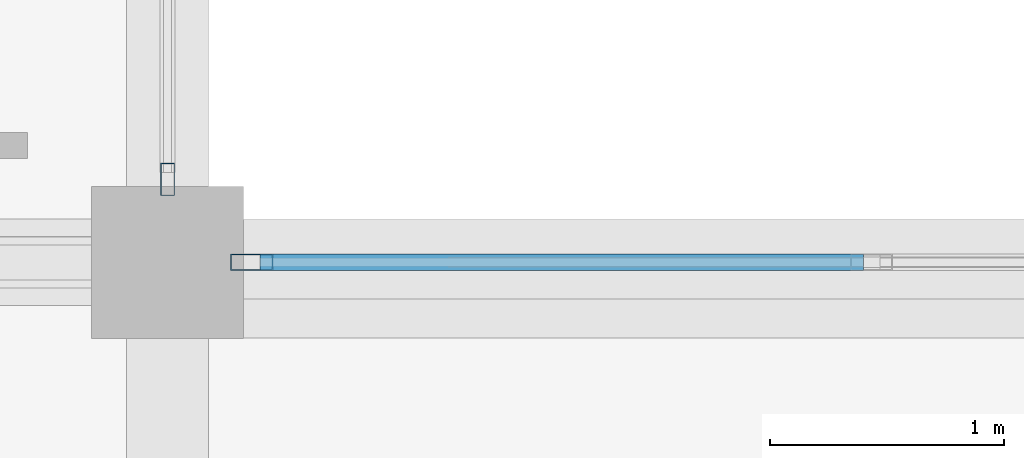
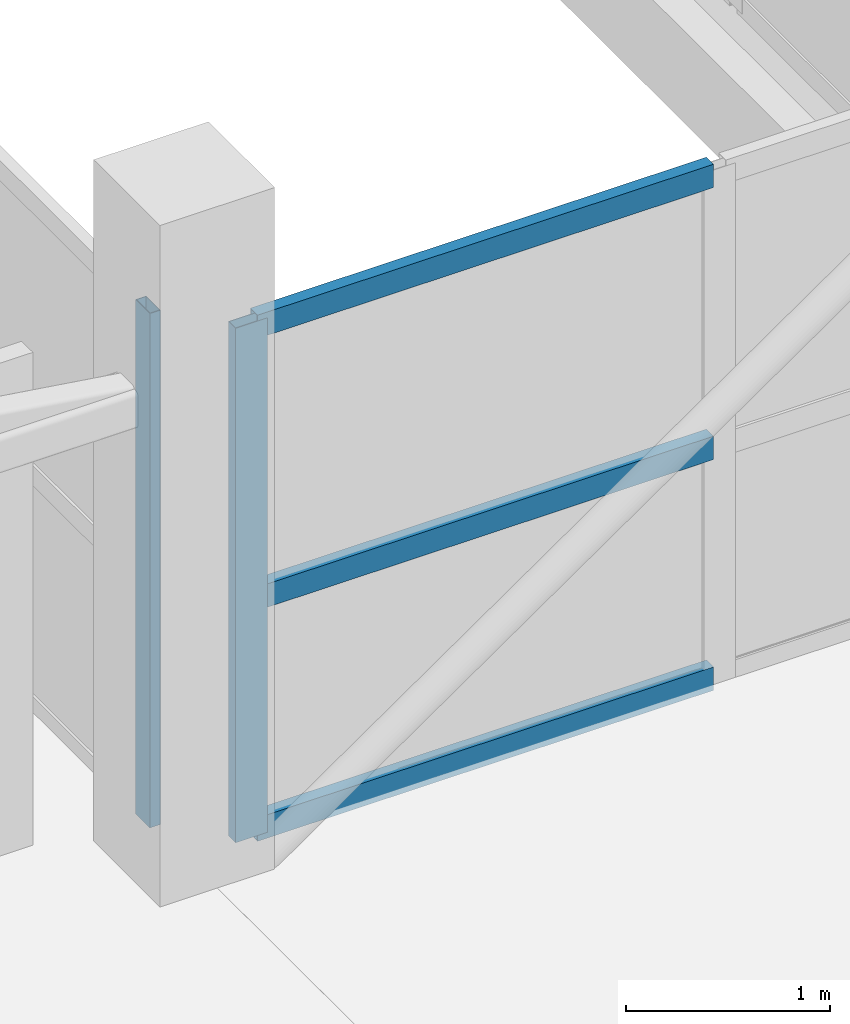
# One storey, part 12 of 53: 5 members, 2 elements without a shape of their own.
"""IFC4 building model written with IfcOpenShell, lengths in metres."""

from ifc_helpers import new_model, si_unit, direction, frame, origin, origin_2d, place, context, subcontext, project, spatial, hollow_rectangle, extrude, material, layer, layer_set, material_profile, profile_set, type_object, element, aggregate, save


model = new_model("IFC4")

# Units and contexts
model_context = context("Model", 3, precision=1e-05, world=origin(), true_north=direction((0.0, 1.0)))
body_context = subcontext(model_context, "Body", "Model", "MODEL_VIEW")
ifc_project = project(units=[si_unit("LENGTHUNIT", "METRE"), si_unit("AREAUNIT", "SQUARE_METRE"), si_unit("VOLUMEUNIT", "CUBIC_METRE"), si_unit("PLANEANGLEUNIT", "RADIAN"), si_unit("MASSUNIT", "GRAM", prefix="KILO")], contexts=[model_context])

# Site, building, storey
site_placement = place(None, origin())
site = spatial("IfcSite", under=ifc_project, at=site_placement, CompositionType="ELEMENT")
building_placement = place(site_placement, origin())
building = spatial("IfcBuilding", under=site, at=building_placement, Name="Sillaruma Civic Art Gallery", CompositionType="ELEMENT")
storey_placement = place(building_placement, frame((0.0, 0.0, 70.3798828125)))
storey = spatial("IfcBuildingStorey", under=building, at=storey_placement, Name="L14", CompositionType="ELEMENT", Elevation=70.3798828125)

# Curtain wall, member
ifc_material = material(Name="Thermally Broken Extruded Aluminium 6063-T6", Category="aluminium")
ifc_layer_1 = layer(ifc_material, 0.139892578125, Name="Thermally Broken Extruded Aluminium 6063-T6")
ifc_layer_set_1 = layer_set([ifc_layer_1], Name="Thermally Broken Extruded Aluminium 6063-T6")
curtain_wall_type_1 = type_object("IfcCurtainWallType", Name="CW-UNI-105", PredefinedType="NOTDEFINED", material=ifc_layer_set_1)
curtain_wall_1_placement = place(storey_placement, origin())
curtain_wall_1 = element("IfcCurtainWall", 1, at=curtain_wall_1_placement, inside=storey, type_object=curtain_wall_type_1, Name="Unitised Curtain Wall CW-105 (CW-L14-WBE-4)", PredefinedType="NOTDEFINED")
ifc_material_profile_1 = material_profile(ifc_material, hollow_rectangle(XDim=0.06005859375, YDim=0.139892578125, WallThickness=0.00341796875, at=origin_2d()), Name="CWM60x140")
ifc_profile_set_1 = profile_set([ifc_material_profile_1], Name="Thermally Broken Extruded Aluminium 6063-T6")
member_type_1 = type_object("IfcMemberType", Name="MEM-MUL-CWM60x140", PredefinedType="MULLION", material=ifc_profile_set_1)
member_1_placement = place(storey_placement, frame((92.0, 49.85498046875, 0.0), z_axis=(0.0, 0.0, 1.0), x_axis=(-1.0, 0.0, 0.0)))
member_1 = element("IfcMember", 2, at=member_1_placement, type_object=member_type_1, Name="CW-105 mullion 1", PredefinedType="MULLION", context=body_context, shape_type="SweptSolid", body=[
    extrude(hollow_rectangle(XDim=0.06005859375, YDim=0.139892578125, WallThickness=0.00341796875, at=origin_2d()), origin(), (0.0, 0.0, 1.0), 3.080078125),
])
aggregate(curtain_wall_1, [member_1])

# Curtain wall, members
ifc_layer_2 = layer(ifc_material, 0.179931640625, Name="Thermally Broken Extruded Aluminium 6063-T6")
ifc_layer_set_2 = layer_set([ifc_layer_2], Name="Thermally Broken Extruded Aluminium 6063-T6")
curtain_wall_type_2 = type_object("IfcCurtainWallType", Name="CW-UNI-110", PredefinedType="NOTDEFINED", material=ifc_layer_set_2)
curtain_wall_2_placement = place(storey_placement, origin())
curtain_wall_2 = element("IfcCurtainWall", 3, at=curtain_wall_2_placement, inside=storey, type_object=curtain_wall_type_2, Name="Unitised Curtain Wall CW-110 (CW-BRG-S-L14-N)", PredefinedType="NOTDEFINED")
ifc_material_profile_2 = material_profile(ifc_material, hollow_rectangle(XDim=0.070068359375, YDim=0.179931640625, WallThickness=0.00390625, at=origin_2d()), Name="CWM70x180")
ifc_profile_set_2 = profile_set([ifc_material_profile_2], Name="Thermally Broken Extruded Aluminium 6063-T6")
member_type_2 = type_object("IfcMemberType", Name="MEM-MUL-CWM70x180", PredefinedType="MULLION", material=ifc_profile_set_2)
member_2_placement = place(storey_placement, frame((92.360107421875, 49.5, 0.0), z_axis=(0.0, 0.0, 1.0), x_axis=(0.0, 1.0, 0.0)))
member_2 = element("IfcMember", 4, at=member_2_placement, type_object=member_type_2, Name="CW-110 mullion 1", PredefinedType="MULLION", context=body_context, shape_type="SweptSolid", body=[
    extrude(hollow_rectangle(XDim=0.070068359375, YDim=0.179931640625, WallThickness=0.00390625, at=origin_2d()), origin(), (0.0, 0.0, 1.0), 3.080078125),
])
ifc_material_profile_3 = material_profile(ifc_material, hollow_rectangle(XDim=0.070068359375, YDim=0.139892578125, WallThickness=0.00390625, at=origin_2d()), Name="CWT70x140")
ifc_profile_set_3 = profile_set([ifc_material_profile_3], Name="Thermally Broken Extruded Aluminium 6063-T6")
member_type_3 = type_object("IfcMemberType", Name="MEM-TRN-CWT70x140", PredefinedType="USERDEFINED", material=ifc_profile_set_3)
member_3_placement = place(storey_placement, frame((92.39501953125, 49.5, 0.03515625), z_axis=(1.0, 0.0, 0.0), x_axis=(0.0, 1.0, 0.0)))
member_3 = element("IfcMember", 5, at=member_3_placement, type_object=member_type_3, Name="CW-110 transom 1.1", ObjectType="TRANSOM", PredefinedType="USERDEFINED", context=body_context, shape_type="SweptSolid", body=[
    extrude(hollow_rectangle(XDim=0.070068359375, YDim=0.139892578125, WallThickness=0.00390625, at=origin_2d()), origin(), (0.0, 0.0, 1.0), 2.58251953125),
])
member_4_placement = place(storey_placement, frame((92.39501953125, 49.5, 1.4169921875), z_axis=(1.0, 0.0, 0.0), x_axis=(0.0, 1.0, 0.0)))
member_4 = element("IfcMember", 6, at=member_4_placement, type_object=member_type_3, Name="CW-110 transom 1.2", ObjectType="TRANSOM", PredefinedType="USERDEFINED", context=body_context, shape_type="SweptSolid", body=[
    extrude(hollow_rectangle(XDim=0.070068359375, YDim=0.139892578125, WallThickness=0.00390625, at=origin_2d()), origin(), (0.0, 0.0, 1.0), 2.58251953125),
])
member_5_placement = place(storey_placement, frame((92.39501953125, 49.5, 3.045166015625), z_axis=(1.0, 0.0, 0.0), x_axis=(0.0, 1.0, 0.0)))
member_5 = element("IfcMember", 7, at=member_5_placement, type_object=member_type_3, Name="CW-110 transom 1.3", ObjectType="TRANSOM", PredefinedType="USERDEFINED", context=body_context, shape_type="SweptSolid", body=[
    extrude(hollow_rectangle(XDim=0.070068359375, YDim=0.139892578125, WallThickness=0.00390625, at=origin_2d()), origin(), (0.0, 0.0, 1.0), 2.58251953125),
])
aggregate(curtain_wall_2, [member_2, member_3, member_4, member_5])

save(model, "model.ifc")
